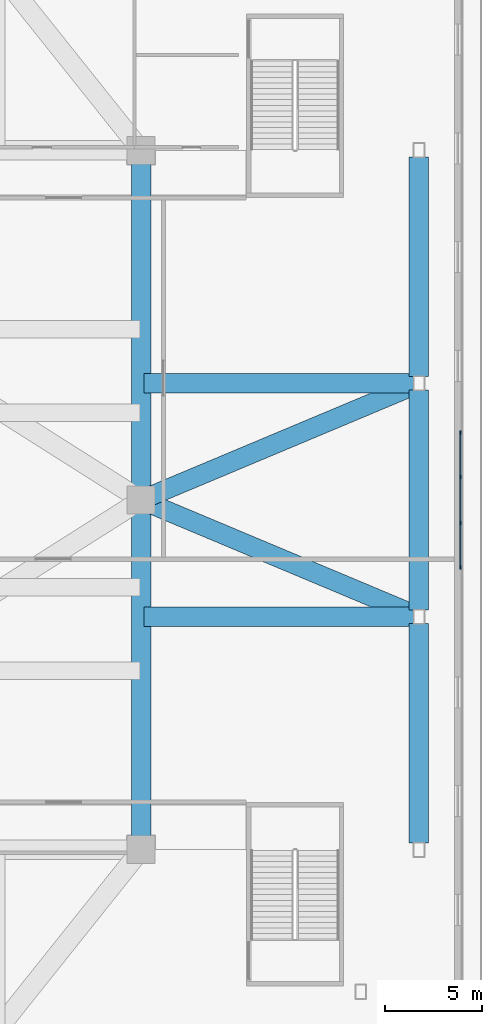
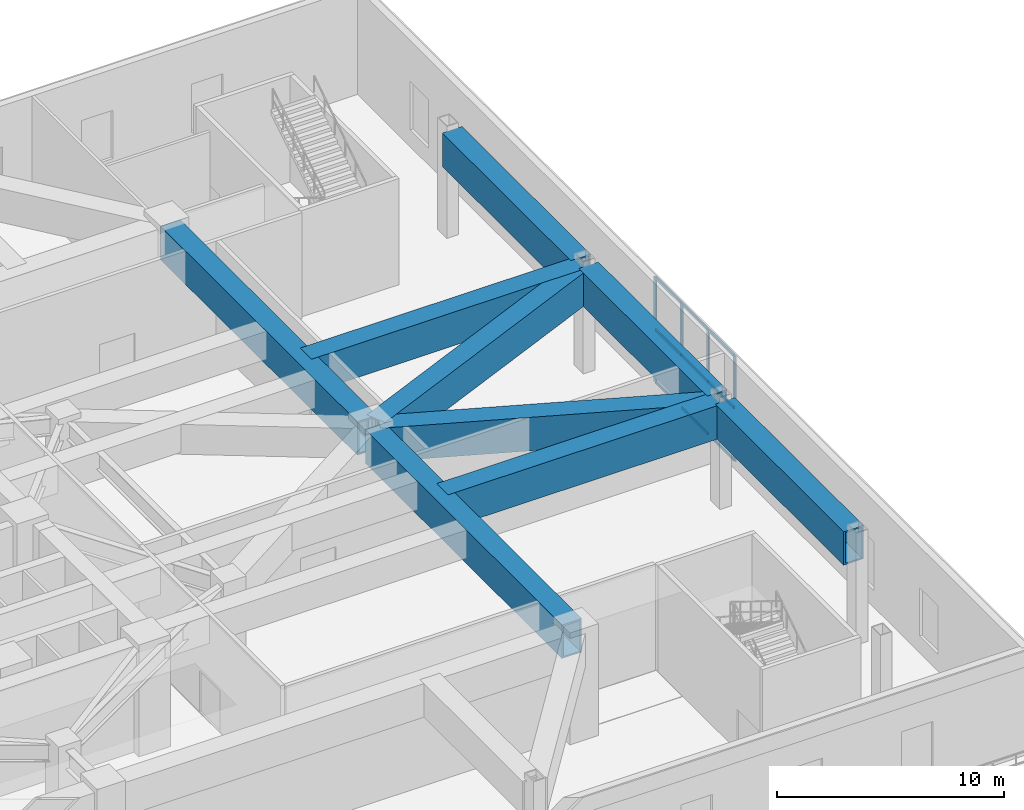
# One storey, part 9 of 25: 13 members, 9 beams, 1 element without a shape of its own.
"""IFC4 building model written with IfcOpenShell, lengths in metres."""

from ifc_helpers import new_model, si_unit, direction, frame, origin, origin_2d, place, context, subcontext, project, spatial, rectangle, hollow_rectangle, extrude, material, layer, layer_set, material_profile, profile_set, type_object, element, aggregate, save


model = new_model("IFC4")

# Units and contexts
model_context = context("Model", 3, precision=1e-05, world=origin(), true_north=direction((0.0, 1.0)))
body_context = subcontext(model_context, "Body", "Model", "MODEL_VIEW")
ifc_project = project(units=[si_unit("LENGTHUNIT", "METRE"), si_unit("AREAUNIT", "SQUARE_METRE"), si_unit("VOLUMEUNIT", "CUBIC_METRE"), si_unit("PLANEANGLEUNIT", "RADIAN"), si_unit("MASSUNIT", "GRAM", prefix="KILO")], contexts=[model_context])

# Site, building, storey
site_placement = place(None, origin())
site = spatial("IfcSite", under=ifc_project, at=site_placement, CompositionType="ELEMENT")
building_placement = place(site_placement, origin())
building = spatial("IfcBuilding", under=site, at=building_placement, Name="Apsidion Concourse Tower", CompositionType="ELEMENT")
storey_placement = place(building_placement, frame((0.0, 0.0, 11.5)))
storey = spatial("IfcBuildingStorey", under=building, at=storey_placement, Name="L02", CompositionType="ELEMENT", Elevation=11.5)

# Beams
ifc_material_1 = material(Name="Structural steel ASTM A572 Grade 50", Category="steel")
ifc_material_profile_1 = material_profile(ifc_material_1, hollow_rectangle(XDim=1.0, YDim=1.800048828125, WallThickness=0.080078125, at=origin_2d()), Name="BOX1800X1000X80")
ifc_profile_set_1 = profile_set([ifc_material_profile_1], Name="Structural steel ASTM A572 Grade 50")
beam_type = type_object("IfcBeamType", Name="BM-TR-1800", PredefinedType="USERDEFINED", material=ifc_profile_set_1)
for number, where, z_axis, x_axis, name in (
    (1, (24.0, -17.64990234375, 4.800048828125), (0.0, 1.0, 0.0), (-1.0, 0.0, 0.0), "L02 Podium Transfer Collector Girder MC2-MC4"),
    (2, (24.0, 0.35009765625, 4.800048828125), (0.0, 1.0, 0.0), (-1.0, 0.0, 0.0), "L02 Podium Transfer Collector Girder MC4-MC6"),
):
    element("IfcBeam", number, at=place(storey_placement, frame(where, z_axis=z_axis, x_axis=x_axis)), inside=storey, type_object=beam_type, Name=name, ObjectType="GIRDER", PredefinedType="USERDEFINED", context=body_context, shape_type="SweptSolid", body=[
        extrude(hollow_rectangle(XDim=1.0, YDim=1.800048828125, WallThickness=0.080078125, at=origin_2d()), origin(), (0.0, 0.0, 1.0), 17.2998046875),
    ])
beam_1_placement = place(storey_placement, frame((38.050048828125, -6.0, 4.800048828125), z_axis=(-1.0, 0.0, 0.0), x_axis=(0.0, -1.0, 0.0)))
element("IfcBeam", 3, at=beam_1_placement, inside=storey, type_object=beam_type, Name="L02 Podium Radial Frame Girder PC06", ObjectType="GIRDER", PredefinedType="USERDEFINED", context=body_context, shape_type="SweptSolid", body=[
    extrude(hollow_rectangle(XDim=1.0, YDim=1.800048828125, WallThickness=0.080078125, at=origin_2d()), origin(), (0.0, 0.0, 1.0), 13.900146484375),
])
beam_2_placement = place(storey_placement, frame((37.977294921875, -5.864501953125, 4.800048828125), z_axis=(-0.92212437548, 0.386893572118, 0.0), x_axis=(-0.386893572118, -0.92212437548, 0.0)))
element("IfcBeam", 4, at=beam_2_placement, inside=storey, type_object=beam_type, Name="L02 Podium Diagonal Frame Tie PC06", ObjectType="GIRDER", PredefinedType="USERDEFINED", context=body_context, shape_type="SweptSolid", body=[
    extrude(hollow_rectangle(XDim=1.0, YDim=1.800048828125, WallThickness=0.080078125, at=origin_2d()), origin(), (0.0, 0.0, 1.0), 14.8076171875),
])
beam_3_placement = place(storey_placement, frame((38.050048828125, 6.0, 4.800048828125), z_axis=(-1.0, 0.0, 0.0), x_axis=(0.0, -1.0, 0.0)))
element("IfcBeam", 5, at=beam_3_placement, inside=storey, type_object=beam_type, Name="L02 Podium Radial Frame Girder PC07", ObjectType="GIRDER", PredefinedType="USERDEFINED", context=body_context, shape_type="SweptSolid", body=[
    extrude(hollow_rectangle(XDim=1.0, YDim=1.800048828125, WallThickness=0.080078125, at=origin_2d()), origin(), (0.0, 0.0, 1.0), 13.900146484375),
])
beam_4_placement = place(storey_placement, frame((37.977294921875, 5.864501953125, 4.800048828125), z_axis=(-0.92212437548, -0.386893572118, 0.0), x_axis=(0.386893572118, -0.92212437548, 0.0)))
element("IfcBeam", 6, at=beam_4_placement, inside=storey, type_object=beam_type, Name="L02 Podium Diagonal Frame Tie PC07", ObjectType="GIRDER", PredefinedType="USERDEFINED", context=body_context, shape_type="SweptSolid", body=[
    extrude(hollow_rectangle(XDim=1.0, YDim=1.800048828125, WallThickness=0.080078125, at=origin_2d()), origin(), (0.0, 0.0, 1.0), 14.8076171875),
])
for number, where, z_axis, x_axis, name in (
    (7, (38.300048828125, -17.64990234375, 4.800048828125), (0.0, 1.0, 0.0), (-1.0, 0.0, 0.0), "L02 Podium Spandrel Girder PC05-PC06"),
    (8, (38.300048828125, -5.64990234375, 4.800048828125), (0.0, 1.0, 0.0), (-1.0, 0.0, 0.0), "L02 Podium Spandrel Girder PC06-PC07"),
    (9, (38.300048828125, 6.35009765625, 4.800048828125), (0.0, 1.0, 0.0), (-1.0, 0.0, 0.0), "L02 Podium Spandrel Girder PC07-PC08"),
):
    element("IfcBeam", number, at=place(storey_placement, frame(where, z_axis=z_axis, x_axis=x_axis)), inside=storey, type_object=beam_type, Name=name, ObjectType="GIRDER", PredefinedType="USERDEFINED", context=body_context, shape_type="SweptSolid", body=[
        extrude(hollow_rectangle(XDim=1.0, YDim=1.800048828125, WallThickness=0.080078125, at=origin_2d()), origin(), (0.0, 0.0, 1.0), 11.2998046875),
    ])

# Curtain wall, members
ifc_material_2 = material(Name="Insulated laminated low-E glass", Category="glass")
ifc_layer = layer(ifc_material_2, 0.199951171875)
ifc_layer_set = layer_set([ifc_layer], Name="Insulated laminated low-E glass")
curtain_wall_type = type_object("IfcCurtainWallType", Name="CW-SYS-02", PredefinedType="NOTDEFINED", material=ifc_layer_set)
curtain_wall_placement = place(storey_placement, origin())
curtain_wall = element("IfcCurtainWall", 10, at=curtain_wall_placement, inside=storey, type_object=curtain_wall_type, Name="L02 Podium Glazed Curtain Wall E", PredefinedType="NOTDEFINED")
ifc_material_3 = material(Name="Anodised aluminium EN AW-6063 T6", Category="aluminium")
ifc_material_profile_2 = material_profile(ifc_material_3, rectangle(XDim=0.06494140625, YDim=0.179931640625, at=origin_2d()), Name="ALU MULLION 65x180")
ifc_profile_set_2 = profile_set([ifc_material_profile_2], Name="Anodised aluminium EN AW-6063 T6")
member_type_1 = type_object("IfcMemberType", Name="CWM-65X180", PredefinedType="MULLION", material=ifc_profile_set_2)
member_1_placement = place(storey_placement, frame((40.43994140625, 3.4833984375, 0.0), z_axis=(0.0, 0.0, 1.0), x_axis=(1.0, 0.0, 0.0)))
member_1 = element("IfcMember", 11, at=member_1_placement, type_object=member_type_1, Name="CW-02 mullion 1", PredefinedType="MULLION", context=body_context, shape_type="SweptSolid", body=[
    extrude(rectangle(XDim=0.06494140625, YDim=0.179931640625, at=origin_2d()), origin(), (0.0, 0.0, 1.0), 5.64990234375),
])
member_2_placement = place(storey_placement, frame((40.43994140625, 1.172119140625, 0.0), z_axis=(0.0, 0.0, 1.0), x_axis=(1.0, 0.0, 0.0)))
member_2 = element("IfcMember", 12, at=member_2_placement, type_object=member_type_1, Name="CW-02 mullion 2", PredefinedType="MULLION", context=body_context, shape_type="SweptSolid", body=[
    extrude(rectangle(XDim=0.06494140625, YDim=0.179931640625, at=origin_2d()), origin(), (0.0, 0.0, 1.0), 5.64990234375),
])
member_3_placement = place(storey_placement, frame((40.43994140625, -1.172119140625, 0.0), z_axis=(0.0, 0.0, 1.0), x_axis=(1.0, 0.0, 0.0)))
member_3 = element("IfcMember", 13, at=member_3_placement, type_object=member_type_1, Name="CW-02 mullion 3", PredefinedType="MULLION", context=body_context, shape_type="SweptSolid", body=[
    extrude(rectangle(XDim=0.06494140625, YDim=0.179931640625, at=origin_2d()), origin(), (0.0, 0.0, 1.0), 5.64990234375),
])
member_4_placement = place(storey_placement, frame((40.43994140625, -3.4833984375, 0.0), z_axis=(0.0, 0.0, 1.0), x_axis=(1.0, 0.0, 0.0)))
member_4 = element("IfcMember", 14, at=member_4_placement, type_object=member_type_1, Name="CW-02 mullion 4", PredefinedType="MULLION", context=body_context, shape_type="SweptSolid", body=[
    extrude(rectangle(XDim=0.06494140625, YDim=0.179931640625, at=origin_2d()), origin(), (0.0, 0.0, 1.0), 5.64990234375),
])
ifc_material_profile_3 = material_profile(ifc_material_3, rectangle(XDim=0.06494140625, YDim=0.139892578125, at=origin_2d()), Name="ALU TRANSOM 65x140")
ifc_profile_set_3 = profile_set([ifc_material_profile_3], Name="Anodised aluminium EN AW-6063 T6")
member_type_2 = type_object("IfcMemberType", Name="CWT-65X140", PredefinedType="USERDEFINED", material=ifc_profile_set_3)
member_5_placement = place(storey_placement, frame((40.43994140625, 3.450927734375, 0.032470703125), z_axis=(0.0, -1.0, 0.0), x_axis=(1.0, 0.0, 0.0)))
member_5 = element("IfcMember", 15, at=member_5_placement, type_object=member_type_2, Name="CW-02 transom 1.1", ObjectType="TRANSOM", PredefinedType="USERDEFINED", context=body_context, shape_type="SweptSolid", body=[
    extrude(rectangle(XDim=0.06494140625, YDim=0.139892578125, at=origin_2d()), origin(), (0.0, 0.0, 1.0), 2.246337890625),
])
member_6_placement = place(storey_placement, frame((40.43994140625, 3.450927734375, 2.824951171875), z_axis=(0.0, -1.0, 0.0), x_axis=(1.0, 0.0, 0.0)))
member_6 = element("IfcMember", 16, at=member_6_placement, type_object=member_type_2, Name="CW-02 transom 1.2", ObjectType="TRANSOM", PredefinedType="USERDEFINED", context=body_context, shape_type="SweptSolid", body=[
    extrude(rectangle(XDim=0.06494140625, YDim=0.139892578125, at=origin_2d()), origin(), (0.0, 0.0, 1.0), 2.246337890625),
])
member_7_placement = place(storey_placement, frame((40.43994140625, 3.450927734375, 5.617431640625), z_axis=(0.0, -1.0, 0.0), x_axis=(1.0, 0.0, 0.0)))
member_7 = element("IfcMember", 17, at=member_7_placement, type_object=member_type_2, Name="CW-02 transom 1.3", ObjectType="TRANSOM", PredefinedType="USERDEFINED", context=body_context, shape_type="SweptSolid", body=[
    extrude(rectangle(XDim=0.06494140625, YDim=0.139892578125, at=origin_2d()), origin(), (0.0, 0.0, 1.0), 2.246337890625),
])
member_8_placement = place(storey_placement, frame((40.43994140625, 1.139404296875, 0.032470703125), z_axis=(0.0, -1.0, 0.0), x_axis=(1.0, 0.0, 0.0)))
member_8 = element("IfcMember", 18, at=member_8_placement, type_object=member_type_2, Name="CW-02 transom 2.1", ObjectType="TRANSOM", PredefinedType="USERDEFINED", context=body_context, shape_type="SweptSolid", body=[
    extrude(rectangle(XDim=0.06494140625, YDim=0.139892578125, at=origin_2d()), origin(), (0.0, 0.0, 1.0), 2.27880859375),
])
member_9_placement = place(storey_placement, frame((40.43994140625, 1.139404296875, 2.824951171875), z_axis=(0.0, -1.0, 0.0), x_axis=(1.0, 0.0, 0.0)))
member_9 = element("IfcMember", 19, at=member_9_placement, type_object=member_type_2, Name="CW-02 transom 2.2", ObjectType="TRANSOM", PredefinedType="USERDEFINED", context=body_context, shape_type="SweptSolid", body=[
    extrude(rectangle(XDim=0.06494140625, YDim=0.139892578125, at=origin_2d()), origin(), (0.0, 0.0, 1.0), 2.27880859375),
])
member_10_placement = place(storey_placement, frame((40.43994140625, 1.139404296875, 5.617431640625), z_axis=(0.0, -1.0, 0.0), x_axis=(1.0, 0.0, 0.0)))
member_10 = element("IfcMember", 20, at=member_10_placement, type_object=member_type_2, Name="CW-02 transom 2.3", ObjectType="TRANSOM", PredefinedType="USERDEFINED", context=body_context, shape_type="SweptSolid", body=[
    extrude(rectangle(XDim=0.06494140625, YDim=0.139892578125, at=origin_2d()), origin(), (0.0, 0.0, 1.0), 2.27880859375),
])
member_11_placement = place(storey_placement, frame((40.43994140625, -1.20458984375, 0.032470703125), z_axis=(0.0, -1.0, 0.0), x_axis=(1.0, 0.0, 0.0)))
member_11 = element("IfcMember", 21, at=member_11_placement, type_object=member_type_2, Name="CW-02 transom 3.1", ObjectType="TRANSOM", PredefinedType="USERDEFINED", context=body_context, shape_type="SweptSolid", body=[
    extrude(rectangle(XDim=0.06494140625, YDim=0.139892578125, at=origin_2d()), origin(), (0.0, 0.0, 1.0), 2.246337890625),
])
member_12_placement = place(storey_placement, frame((40.43994140625, -1.20458984375, 2.824951171875), z_axis=(0.0, -1.0, 0.0), x_axis=(1.0, 0.0, 0.0)))
member_12 = element("IfcMember", 22, at=member_12_placement, type_object=member_type_2, Name="CW-02 transom 3.2", ObjectType="TRANSOM", PredefinedType="USERDEFINED", context=body_context, shape_type="SweptSolid", body=[
    extrude(rectangle(XDim=0.06494140625, YDim=0.139892578125, at=origin_2d()), origin(), (0.0, 0.0, 1.0), 2.246337890625),
])
member_13_placement = place(storey_placement, frame((40.43994140625, -1.20458984375, 5.617431640625), z_axis=(0.0, -1.0, 0.0), x_axis=(1.0, 0.0, 0.0)))
member_13 = element("IfcMember", 23, at=member_13_placement, type_object=member_type_2, Name="CW-02 transom 3.3", ObjectType="TRANSOM", PredefinedType="USERDEFINED", context=body_context, shape_type="SweptSolid", body=[
    extrude(rectangle(XDim=0.06494140625, YDim=0.139892578125, at=origin_2d()), origin(), (0.0, 0.0, 1.0), 2.246337890625),
])
aggregate(curtain_wall, [member_1, member_2, member_3, member_4, member_5, member_6, member_7, member_8, member_9, member_10, member_11, member_12, member_13])

save(model, "model.ifc")
